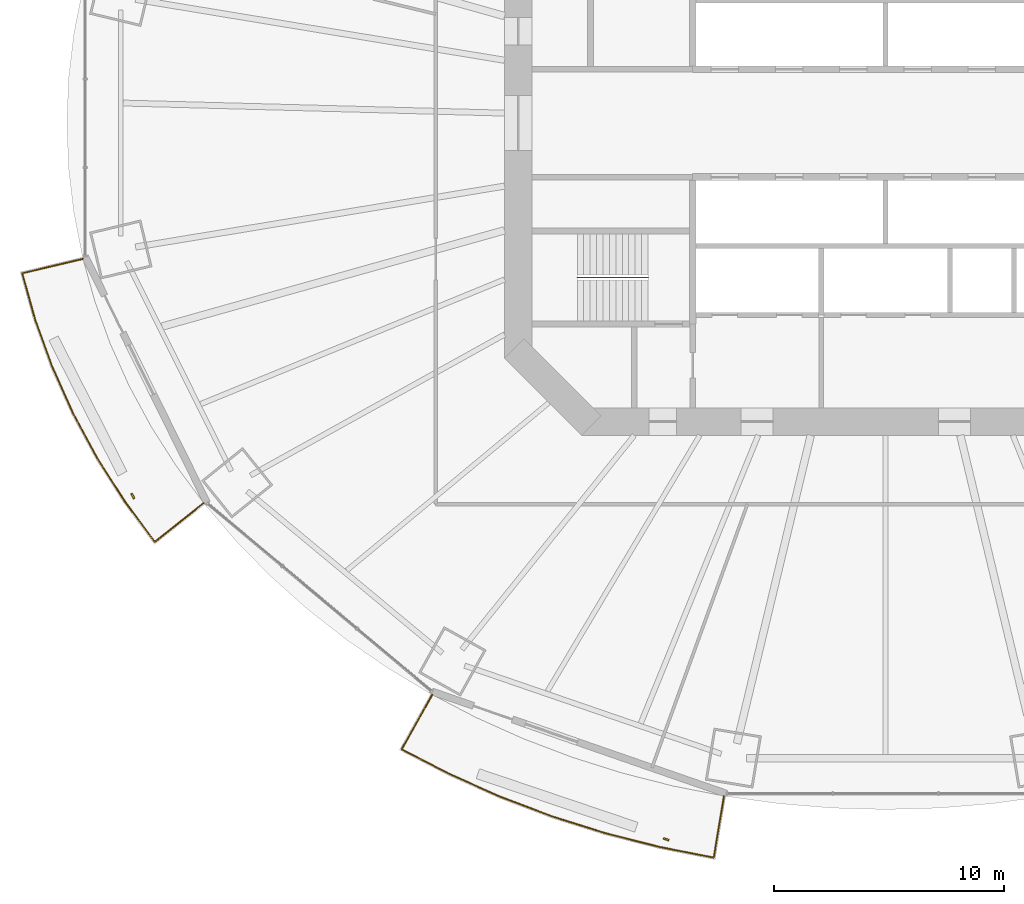
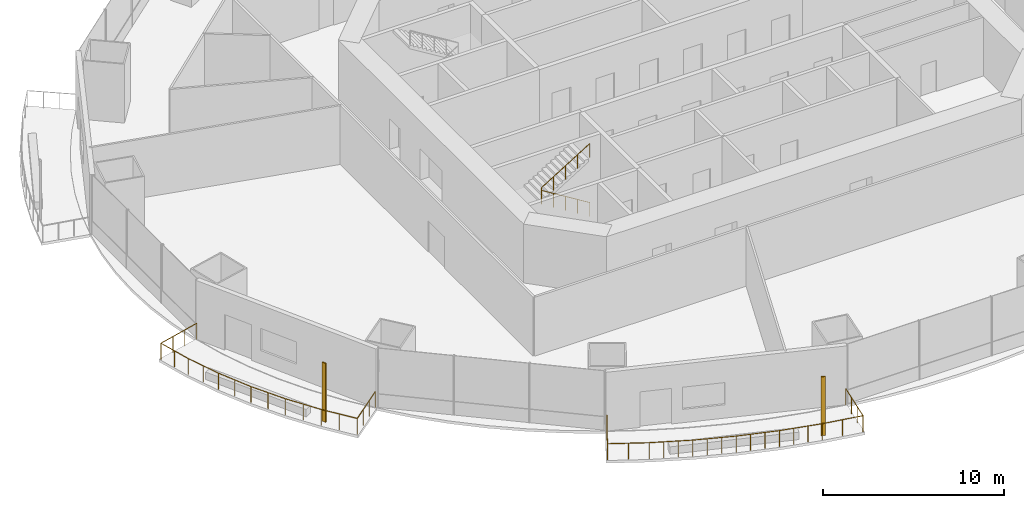
# One storey, part 17 of 22: 3 railings, 2 shading devices.
"""IFC4 building model written with IfcOpenShell, lengths in metres."""

from ifc_helpers import new_model, si_unit, direction, frame, origin, origin_2d, place, context, subcontext, project, spatial, rectangle, circle, extrude, material, material_profile, profile_set, type_object, element, save


model = new_model("IFC4")

# Units and contexts
model_context = context("Model", 3, precision=1e-05, world=origin(), true_north=direction((0.0, 1.0)))
body_context = subcontext(model_context, "Body", "Model", "MODEL_VIEW")
ifc_project = project(units=[si_unit("LENGTHUNIT", "METRE"), si_unit("AREAUNIT", "SQUARE_METRE"), si_unit("VOLUMEUNIT", "CUBIC_METRE"), si_unit("PLANEANGLEUNIT", "RADIAN"), si_unit("MASSUNIT", "GRAM", prefix="KILO")], contexts=[model_context])

# Site, building, storey
site_placement = place(None, origin())
site = spatial("IfcSite", under=ifc_project, at=site_placement, CompositionType="ELEMENT")
building_placement = place(site_placement, origin())
building = spatial("IfcBuilding", under=site, at=building_placement, Name="Marenthal Gate Tower", CompositionType="ELEMENT")
storey_placement = place(building_placement, frame((0.0, 0.0, 78.64990234375)))
storey = spatial("IfcBuildingStorey", under=building, at=storey_placement, Name="L15", CompositionType="ELEMENT", Elevation=78.64990234375)

# Railings
ifc_material_1 = material(Name="Stainless steel", Category="steel")
railing_type_1 = type_object("IfcRailingType", Name="Balcony guard 1100", PredefinedType="GUARDRAIL", material=ifc_material_1)
railing_1_placement = place(storey_placement, frame((-29.7109375, -16.55126953125, 0.0)))
element("IfcRailing", 1, at=railing_1_placement, inside=storey, type_object=railing_type_1, Name="Balcony guard L15 bay 9", PredefinedType="GUARDRAIL", context=body_context, shape_type="SweptSolid", body=[
    extrude(circle(Radius=0.02392578125, at=origin_2d()), frame((0.0, 0.0, 1.076171875), z_axis=(-0.782140551652, -0.622930300519, -0.014628675837), x_axis=(0.622996964186, -0.782224253405, 0.0)), (0.0, 0.0, 1.0), 2.72021484375),
    extrude(circle(Radius=0.02392578125, at=origin_2d()), frame((-2.127685546875, -1.694580078125, 1.0361328125), z_axis=(-0.594680833833, 0.803961880857, 0.0), x_axis=(-0.803961880857, -0.594680833833, 0.0)), (0.0, 0.0, 1.0), 2.17919921875),
    extrude(circle(Radius=0.02392578125, at=origin_2d()), frame((-3.423583984375, 0.057373046875, 1.0361328125), z_axis=(-0.53758735843, 0.843208059767, 0.0), x_axis=(-0.843208059767, -0.53758735843, 0.0)), (0.0, 0.0, 1.0), 2.24072265625),
    extrude(circle(Radius=0.02392578125, at=origin_2d()), frame((-4.628173828125, 1.94677734375, 1.0361328125), z_axis=(-0.475441262736, 0.879747466997, 0.0), x_axis=(-0.879747466997, -0.475441262736, 0.0)), (0.0, 0.0, 1.0), 2.223876953125),
    extrude(circle(Radius=0.02392578125, at=origin_2d()), frame((-5.685546875, 3.9033203125, 1.0361328125), z_axis=(-0.409519083019, 0.912301551376, 0.0), x_axis=(-0.912301551376, -0.409519083019, 0.0)), (0.0, 0.0, 1.0), 2.20947265625),
    extrude(circle(Radius=0.02392578125, at=origin_2d()), frame((-6.59033203125, 5.9189453125, 1.0361328125), z_axis=(-0.340269936614, 0.940327799353, 0.0), x_axis=(-0.940327799353, -0.340269936614, 0.0)), (0.0, 0.0, 1.0), 2.1962890625),
    extrude(circle(Radius=0.02392578125, at=origin_2d()), frame((-7.337646484375, 7.984130859375, 1.0361328125), z_axis=(-0.26934176956, 0.963044656893, 0.0), x_axis=(-0.963044656893, -0.26934176956, 0.0)), (0.0, 0.0, 1.0), 2.105712890625),
    extrude(circle(Radius=0.02392578125, at=origin_2d()), frame((-7.90478515625, 10.011962890625, 1.0361328125), z_axis=(0.972923153232, 0.23066536013, 0.014629748522), x_axis=(-0.230690048693, 0.973027287096, 0.0)), (0.0, 0.0, 1.0), 2.72021484375),
    extrude(circle(Radius=0.02099609375, at=origin_2d()), origin(), (0.0, 0.0, 1.0), 1.052001953125),
    extrude(circle(Radius=0.02099609375, at=origin_2d()), frame((-0.709228515625, -0.56494140625, -0.01318359375)), (0.0, 0.0, 1.0), 1.052001953125),
    extrude(circle(Radius=0.02099609375, at=origin_2d()), frame((-1.41845703125, -1.129638671875, -0.026611328125)), (0.0, 0.0, 1.0), 1.052001953125),
    extrude(circle(Radius=0.02099609375, at=origin_2d()), frame((-2.127685546875, -1.694580078125, -0.039794921875)), (0.0, 0.0, 1.0), 1.052001953125),
    extrude(circle(Radius=0.02099609375, at=origin_2d()), frame((-2.775634765625, -0.818603515625, -0.039794921875)), (0.0, 0.0, 1.0), 1.052001953125),
    extrude(circle(Radius=0.02099609375, at=origin_2d()), frame((-3.423583984375, 0.057373046875, -0.039794921875)), (0.0, 0.0, 1.0), 1.052001953125),
    extrude(circle(Radius=0.02099609375, at=origin_2d()), frame((-4.02587890625, 1.001953125, -0.039794921875)), (0.0, 0.0, 1.0), 1.052001953125),
    extrude(circle(Radius=0.02099609375, at=origin_2d()), frame((-4.628173828125, 1.94677734375, -0.039794921875)), (0.0, 0.0, 1.0), 1.052001953125),
    extrude(circle(Radius=0.02099609375, at=origin_2d()), frame((-5.15673828125, 2.925048828125, -0.039794921875)), (0.0, 0.0, 1.0), 1.052001953125),
    extrude(circle(Radius=0.02099609375, at=origin_2d()), frame((-5.685546875, 3.9033203125, -0.039794921875)), (0.0, 0.0, 1.0), 1.052001953125),
    extrude(circle(Radius=0.02099609375, at=origin_2d()), frame((-6.137939453125, 4.9111328125, -0.039794921875)), (0.0, 0.0, 1.0), 1.052001953125),
    extrude(circle(Radius=0.02099609375, at=origin_2d()), frame((-6.59033203125, 5.9189453125, -0.039794921875)), (0.0, 0.0, 1.0), 1.052001953125),
    extrude(circle(Radius=0.02099609375, at=origin_2d()), frame((-6.9638671875, 6.95166015625, -0.039794921875)), (0.0, 0.0, 1.0), 1.052001953125),
    extrude(circle(Radius=0.02099609375, at=origin_2d()), frame((-7.337646484375, 7.984130859375, -0.039794921875)), (0.0, 0.0, 1.0), 1.052001953125),
    extrude(circle(Radius=0.02099609375, at=origin_2d()), frame((-7.62109375, 8.998046875, -0.039794921875)), (0.0, 0.0, 1.0), 1.052001953125),
    extrude(circle(Radius=0.02099609375, at=origin_2d()), frame((-7.90478515625, 10.011962890625, -0.039794921875)), (0.0, 0.0, 1.0), 1.052001953125),
    extrude(circle(Radius=0.02099609375, at=origin_2d()), frame((-7.022705078125, 10.22119140625, -0.026611328125)), (0.0, 0.0, 1.0), 1.052001953125),
    extrude(circle(Radius=0.02099609375, at=origin_2d()), frame((-6.140380859375, 10.43017578125, -0.01318359375)), (0.0, 0.0, 1.0), 1.052001953125),
    extrude(circle(Radius=0.02099609375, at=origin_2d()), frame((-5.25830078125, 10.639404296875, 0.0)), (0.0, 0.0, 1.0), 1.052001953125),
])
railing_2_placement = place(storey_placement, frame((-7.038330078125, -29.316162109375, 0.0)))
element("IfcRailing", 2, at=railing_2_placement, inside=storey, type_object=railing_type_1, Name="Balcony guard L15 bay 11", PredefinedType="GUARDRAIL", context=body_context, shape_type="SweptSolid", body=[
    extrude(circle(Radius=0.02392578125, at=origin_2d()), frame((0.0, 0.0, 1.076171875), z_axis=(-0.164599699224, -0.98625196007, -0.014629089953), x_axis=(0.986357511038, -0.164617315064, 0.0)), (0.0, 0.0, 1.0), 2.72021484375),
    extrude(circle(Radius=0.02392578125, at=origin_2d()), frame((-0.44775390625, -2.682861328125, 1.0361328125), z_axis=(-0.981255035118, 0.192713663388, 0.0), x_axis=(-0.192713663388, -0.981255035118, 0.0)), (0.0, 0.0, 1.0), 2.387939453125),
    extrude(circle(Radius=0.02392578125, at=origin_2d()), frame((-2.791015625, -2.22265625, 1.0361328125), z_axis=(-0.969164913017, 0.246413009756, 0.0), x_axis=(-0.246413009756, -0.969164913017, 0.0)), (0.0, 0.0, 1.0), 2.4580078125),
    extrude(circle(Radius=0.02392578125, at=origin_2d()), frame((-5.17333984375, -1.616943359375, 1.0361328125), z_axis=(-0.953650519342, 0.300916411912, 0.0), x_axis=(-0.300916411912, -0.953650519342, 0.0)), (0.0, 0.0, 1.0), 2.446044921875),
    extrude(circle(Radius=0.02392578125, at=origin_2d()), frame((-7.506103515625, -0.880859375, 1.0361328125), z_axis=(-0.934822913626, 0.355114235366, 0.0), x_axis=(-0.355114235366, -0.934822913626, 0.0)), (0.0, 0.0, 1.0), 2.431640625),
    extrude(circle(Radius=0.02392578125, at=origin_2d()), frame((-9.779296875, -0.017333984375, 1.0361328125), z_axis=(-0.91254444095, 0.408977558419, 0.0), x_axis=(-0.408977558419, -0.91254444095, 0.0)), (0.0, 0.0, 1.0), 2.415771484375),
    extrude(circle(Radius=0.02392578125, at=origin_2d()), frame((-11.98388671875, 0.970703125, 1.0361328125), z_axis=(-0.887259903965, 0.461269837314, 0.0), x_axis=(-0.461269837314, -0.887259903965, 0.0)), (0.0, 0.0, 1.0), 2.318359375),
    extrude(circle(Radius=0.02392578125, at=origin_2d()), frame((-14.040771484375, 2.0400390625, 1.0361328125), z_axis=(0.488917232051, 0.872207521714, 0.014628030254), x_axis=(-0.872300853857, 0.488969549523, 0.0)), (0.0, 0.0, 1.0), 2.720458984375),
    extrude(circle(Radius=0.02099609375, at=origin_2d()), origin(), (0.0, 0.0, 1.0), 1.052001953125),
    extrude(circle(Radius=0.02099609375, at=origin_2d()), frame((-0.149169921875, -0.894287109375, -0.01318359375)), (0.0, 0.0, 1.0), 1.052001953125),
    extrude(circle(Radius=0.02099609375, at=origin_2d()), frame((-0.298583984375, -1.78857421875, -0.026611328125)), (0.0, 0.0, 1.0), 1.052001953125),
    extrude(circle(Radius=0.02099609375, at=origin_2d()), frame((-0.44775390625, -2.682861328125, -0.039794921875)), (0.0, 0.0, 1.0), 1.052001953125),
    extrude(circle(Radius=0.02099609375, at=origin_2d()), frame((-1.619384765625, -2.45263671875, -0.039794921875)), (0.0, 0.0, 1.0), 1.052001953125),
    extrude(circle(Radius=0.02099609375, at=origin_2d()), frame((-2.791015625, -2.22265625, -0.039794921875)), (0.0, 0.0, 1.0), 1.052001953125),
    extrude(circle(Radius=0.02099609375, at=origin_2d()), frame((-3.585205078125, -2.020751953125, -0.039794921875)), (0.0, 0.0, 1.0), 1.052001953125),
    extrude(circle(Radius=0.02099609375, at=origin_2d()), frame((-4.379150390625, -1.81884765625, -0.039794921875)), (0.0, 0.0, 1.0), 1.052001953125),
    extrude(circle(Radius=0.02099609375, at=origin_2d()), frame((-5.17333984375, -1.616943359375, -0.039794921875)), (0.0, 0.0, 1.0), 1.052001953125),
    extrude(circle(Radius=0.02099609375, at=origin_2d()), frame((-5.950927734375, -1.37158203125, -0.039794921875)), (0.0, 0.0, 1.0), 1.052001953125),
    extrude(circle(Radius=0.02099609375, at=origin_2d()), frame((-6.728515625, -1.126220703125, -0.039794921875)), (0.0, 0.0, 1.0), 1.052001953125),
    extrude(circle(Radius=0.02099609375, at=origin_2d()), frame((-7.506103515625, -0.880859375, -0.039794921875)), (0.0, 0.0, 1.0), 1.052001953125),
    extrude(circle(Radius=0.02099609375, at=origin_2d()), frame((-8.263916015625, -0.593017578125, -0.039794921875)), (0.0, 0.0, 1.0), 1.052001953125),
    extrude(circle(Radius=0.02099609375, at=origin_2d()), frame((-9.021484375, -0.30517578125, -0.039794921875)), (0.0, 0.0, 1.0), 1.052001953125),
    extrude(circle(Radius=0.02099609375, at=origin_2d()), frame((-9.779296875, -0.017333984375, -0.039794921875)), (0.0, 0.0, 1.0), 1.052001953125),
    extrude(circle(Radius=0.02099609375, at=origin_2d()), frame((-10.51416015625, 0.31201171875, -0.039794921875)), (0.0, 0.0, 1.0), 1.052001953125),
    extrude(circle(Radius=0.02099609375, at=origin_2d()), frame((-11.2490234375, 0.641357421875, -0.039794921875)), (0.0, 0.0, 1.0), 1.052001953125),
    extrude(circle(Radius=0.02099609375, at=origin_2d()), frame((-11.98388671875, 0.970703125, -0.039794921875)), (0.0, 0.0, 1.0), 1.052001953125),
    extrude(circle(Radius=0.02099609375, at=origin_2d()), frame((-13.01220703125, 1.50537109375, -0.039794921875)), (0.0, 0.0, 1.0), 1.052001953125),
    extrude(circle(Radius=0.02099609375, at=origin_2d()), frame((-14.040771484375, 2.0400390625, -0.039794921875)), (0.0, 0.0, 1.0), 1.052001953125),
    extrude(circle(Radius=0.02099609375, at=origin_2d()), frame((-13.597412109375, 2.8310546875, -0.026611328125)), (0.0, 0.0, 1.0), 1.052001953125),
    extrude(circle(Radius=0.02099609375, at=origin_2d()), frame((-13.154052734375, 3.621826171875, -0.01318359375)), (0.0, 0.0, 1.0), 1.052001953125),
    extrude(circle(Radius=0.02099609375, at=origin_2d()), frame((-12.710693359375, 4.412841796875, 0.0)), (0.0, 0.0, 1.0), 1.052001953125),
])
ifc_material_2 = material(Name="Stainless steel", Category="steel")
railing_type_2 = type_object("IfcRailingType", Name="Stair handrail", PredefinedType="HANDRAIL", material=ifc_material_2)
railing_3_placement = place(storey_placement, frame((-10.35009765625, -6.72509765625, 0.173095703125)))
element("IfcRailing", 3, at=railing_3_placement, inside=storey, type_object=railing_type_2, Name="Handrail ST2", PredefinedType="HANDRAIL", context=body_context, shape_type="SweptSolid", body=[
    extrude(circle(Radius=0.0224609375, at=origin_2d()), frame((0.0, 0.0, 0.927490234375), z_axis=(-0.850816621229, 0.0, 0.525462726595), x_axis=(0.0, -1.0, 0.0)), (0.0, 0.0, 1.0), 3.619873046875),
    extrude(circle(Radius=0.0224609375, at=origin_2d()), frame((-3.079833984375, 0.0, 2.82958984375), z_axis=(0.0, 0.0, 1.0), x_axis=(1.0, 0.0, 0.0)), (0.0, 0.0, 1.0), 0.1728515625),
    extrude(circle(Radius=0.0224609375, at=origin_2d()), frame((-3.079833984375, 0.0, 3.00244140625), z_axis=(0.850816621229, 0.0, 0.525462726595), x_axis=(0.0, 1.0, 0.0)), (0.0, 0.0, 1.0), 3.619873046875),
    extrude(circle(Radius=0.02001953125, at=origin_2d()), origin(), (0.0, 0.0, 1.0), 0.905029296875),
    extrude(circle(Radius=0.02001953125, at=origin_2d()), frame((-0.77001953125, 0.0, 0.4755859375)), (0.0, 0.0, 1.0), 0.905029296875),
    extrude(circle(Radius=0.02001953125, at=origin_2d()), frame((-1.5400390625, 0.0, 0.951171875)), (0.0, 0.0, 1.0), 0.905029296875),
    extrude(circle(Radius=0.02001953125, at=origin_2d()), frame((-2.309814453125, 0.0, 1.426513671875)), (0.0, 0.0, 1.0), 0.905029296875),
    extrude(circle(Radius=0.02001953125, at=origin_2d()), frame((-3.079833984375, 0.0, 1.902099609375)), (0.0, 0.0, 1.0), 0.905029296875),
    extrude(circle(Radius=0.02001953125, at=origin_2d()), frame((-3.079833984375, 0.0, 2.074951171875)), (0.0, 0.0, 1.0), 0.905029296875),
    extrude(circle(Radius=0.02001953125, at=origin_2d()), frame((-2.309814453125, 0.0, 2.550537109375)), (0.0, 0.0, 1.0), 0.905029296875),
    extrude(circle(Radius=0.02001953125, at=origin_2d()), frame((-1.5400390625, 0.0, 3.02587890625)), (0.0, 0.0, 1.0), 0.905029296875),
    extrude(circle(Radius=0.02001953125, at=origin_2d()), frame((-0.77001953125, 0.0, 3.50146484375)), (0.0, 0.0, 1.0), 0.905029296875),
    extrude(circle(Radius=0.02001953125, at=origin_2d()), frame((0.0, 0.0, 3.97705078125)), (0.0, 0.0, 1.0), 0.905029296875),
])

# Shading devices
ifc_material_3 = material(Name="Terracotta", Category="masonry")
ifc_material_profile = material_profile(ifc_material_3, rectangle(XDim=0.25, YDim=0.080078125, at=origin_2d()), Name="Terracotta baguette 250x80")
ifc_profile_set = profile_set([ifc_material_profile], Name="Terracotta")
shading_device_type = type_object("IfcShadingDeviceType", Name="Terracotta BAGUETTE SCREEN 250x80", PredefinedType="USERDEFINED", material=ifc_profile_set)
for number, where, z_axis, x_axis, name in (
    (4, (-32.795166015625, -16.2470703125, -0.039794921875), (0.0, 0.0, 1.0), (0.44293870584, -0.896551896361, 0.0), "Terracotta BAGUETTE L15 bay 9R"),
    (5, (-9.5615234375, -31.202392578125, -0.039794921875), (0.0, 0.0, 1.0), (0.944656596613, -0.328060839595, 0.0), "Terracotta BAGUETTE L15 bay 11R"),
):
    element("IfcShadingDevice", number, at=place(storey_placement, frame(where, z_axis=z_axis, x_axis=x_axis)), inside=storey, type_object=shading_device_type, Name=name, ObjectType="BAGUETTE SCREEN", PredefinedType="USERDEFINED", context=body_context, shape_type="SweptSolid", body=[
        extrude(rectangle(XDim=0.25, YDim=0.080078125, at=origin_2d()), origin(), (0.0, 0.0, 1.0), 3.969970703125),
    ])

save(model, "model.ifc")
